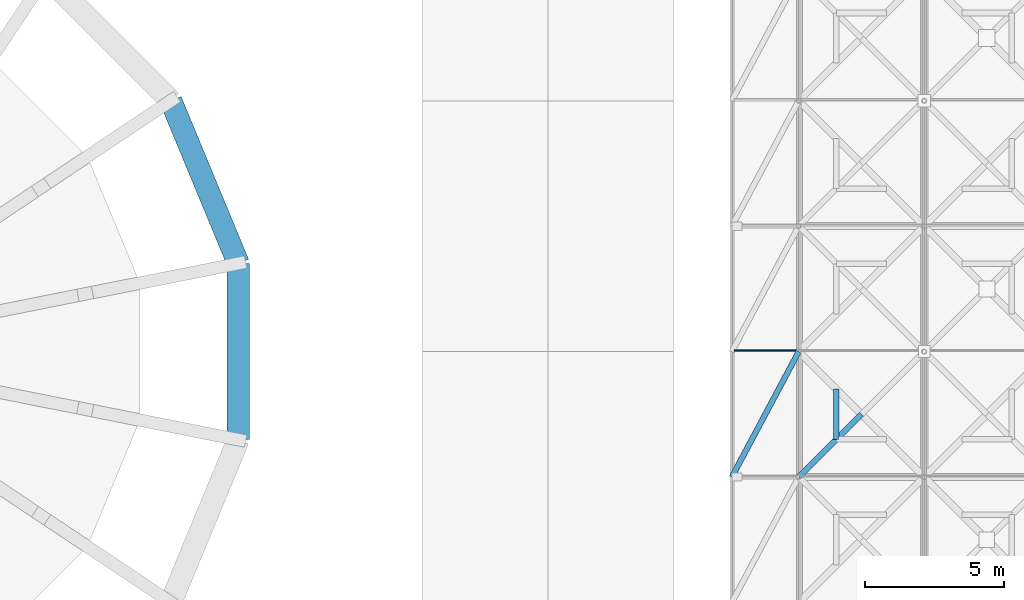
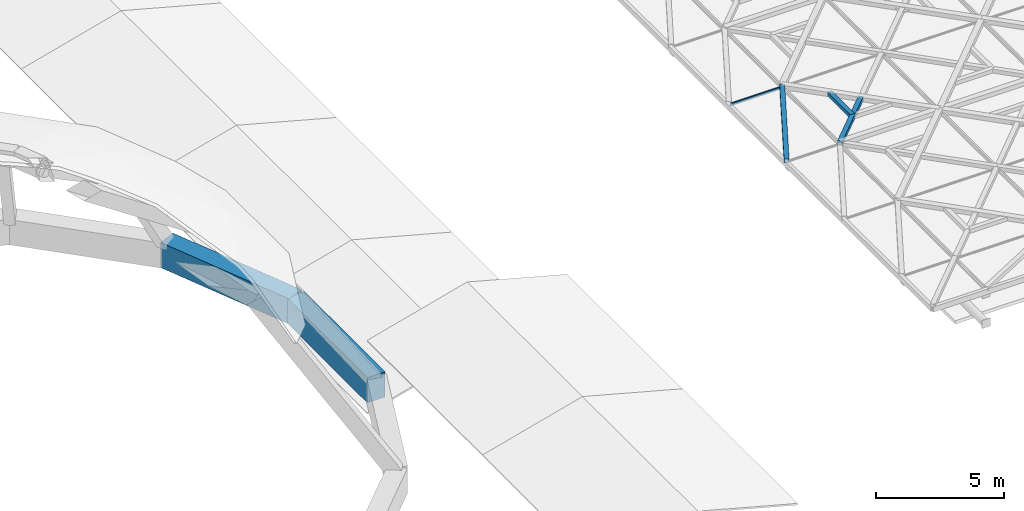
# One storey, part 3 of 80: 4 members, 2 beams, 1 element without a shape of its own.
"""IFC4 building model written with IfcOpenShell, lengths in metres."""

from ifc_helpers import new_model, si_unit, direction, frame, origin, origin_2d, place, context, subcontext, project, spatial, rectangle, hollow_rectangle, extrude, material, material_profile, profile_set, type_object, element, aggregate, save


model = new_model("IFC4")

# Units and contexts
model_context = context("Model", 3, precision=1e-05, world=origin(), true_north=direction((0.0, 1.0)))
body_context = subcontext(model_context, "Body", "Model", "MODEL_VIEW")
ifc_project = project(units=[si_unit("LENGTHUNIT", "METRE"), si_unit("AREAUNIT", "SQUARE_METRE"), si_unit("VOLUMEUNIT", "CUBIC_METRE"), si_unit("PLANEANGLEUNIT", "RADIAN"), si_unit("MASSUNIT", "GRAM", prefix="KILO"), si_unit("THERMODYNAMICTEMPERATUREUNIT", "KELVIN"), si_unit("POWERUNIT", "WATT")], contexts=[model_context])

# Site, building, storey
site_placement = place(None, origin())
site = spatial("IfcSite", under=ifc_project, at=site_placement, CompositionType="ELEMENT")
building_placement = place(site_placement, origin())
building = spatial("IfcBuilding", under=site, at=building_placement, Name="Tallowbark Science Centre", CompositionType="ELEMENT")
storey_placement = place(building_placement, frame((0.0, 0.0, 25.949951171875)))
storey = spatial("IfcBuildingStorey", under=building, at=storey_placement, Name="ROOF", CompositionType="ELEMENT", Elevation=25.949951171875)

# Beams
ifc_material_1 = material(Name="Concrete Grade N50 (50 MPa)", Category="concrete")
ifc_material_profile_1 = material_profile(ifc_material_1, rectangle(XDim=0.800048828125, YDim=1.199951171875, at=origin_2d()), Name="RC800x1200")
ifc_profile_set_1 = profile_set([ifc_material_profile_1], Name="Concrete Grade N50 (50 MPa)")
beam_type = type_object("IfcBeamType", Name="BM-RING-N50", PredefinedType="SPANDREL", material=ifc_profile_set_1)
beam_1_placement = place(storey_placement, frame((38.388671875, 21.160400390625, -4.949951171875), z_axis=(-0.382683814393, 0.92387937427, 0.0), x_axis=(-0.92387937427, -0.382683814393, 0.0)))
element("IfcBeam", 1, at=beam_1_placement, inside=storey, type_object=beam_type, Name="Planetarium Ring Beam ROOF-1", PredefinedType="SPANDREL", context=body_context, shape_type="SweptSolid", body=[
    extrude(rectangle(XDim=0.800048828125, YDim=1.199951171875, at=origin_2d()), origin(), (0.0, 0.0, 1.0), 6.321044921875),
])
beam_2_placement = place(storey_placement, frame((38.388671875, 14.839599609375, -4.949951171875), z_axis=(0.0, 1.0, 0.0), x_axis=(-1.0, 0.0, 0.0)))
element("IfcBeam", 2, at=beam_2_placement, inside=storey, type_object=beam_type, Name="Planetarium Ring Beam ROOF-16", PredefinedType="SPANDREL", context=body_context, shape_type="SweptSolid", body=[
    extrude(rectangle(XDim=0.800048828125, YDim=1.199951171875, at=origin_2d()), origin(), (0.0, 0.0, 1.0), 6.32080078125),
])

# Curtain wall, member
ifc_material_2 = material(Name="Blue-Tinted Laminated Low-E Skylight Glass", Category="glass")
curtain_wall_type = type_object("IfcCurtainWallType", Name="CW-SKY-ROOF", PredefinedType="NOTDEFINED", material=ifc_material_2)
curtain_wall_placement = place(storey_placement, origin())
curtain_wall = element("IfcCurtainWall", 3, at=curtain_wall_placement, inside=storey, type_object=curtain_wall_type, Name="Exhibition Star-Screen Skylight Bay 1", PredefinedType="NOTDEFINED")
ifc_material_3 = material(Name="Anodised Architectural Aluminium Alloy 6063-T6", Category="aluminium")
ifc_material_profile_2 = material_profile(ifc_material_3, rectangle(XDim=0.054931640625, YDim=0.1201171875, at=origin_2d()), Name="ALU55x120")
ifc_profile_set_2 = profile_set([ifc_material_profile_2], Name="Anodised Architectural Aluminium Alloy 6063-T6")
member_type_1 = type_object("IfcMemberType", Name="CWM-SKY-TRN", PredefinedType="USERDEFINED", material=ifc_profile_set_2)
member_1_placement = place(storey_placement, frame((56.179931640625, 18.0400390625, 0.35205078125), z_axis=(1.0, 0.0, 0.0), x_axis=(0.0, 1.0, 0.0)))
member_1 = element("IfcMember", 4, at=member_1_placement, type_object=member_type_1, Name="Skylight Bay 1 Transom 5", ObjectType="TRANSOM", PredefinedType="USERDEFINED", context=body_context, shape_type="SweptSolid", body=[
    extrude(rectangle(XDim=0.054931640625, YDim=0.1201171875, at=origin_2d()), origin(), (0.0, 0.0, 1.0), 2.239990234375),
])
aggregate(curtain_wall, [member_1])

# Members
ifc_material_4 = material(Name="White Architectural Painted Steel Grade C350L0 (350 MPa)", Category="steel")
ifc_material_profile_3 = material_profile(ifc_material_4, hollow_rectangle(XDim=0.199951171875, YDim=0.199951171875, WallThickness=0.009033203125, at=origin_2d()), Name="200x200x9.0SHS")
ifc_profile_set_3 = profile_set([ifc_material_profile_3], Name="White Architectural Painted Steel Grade C350L0 (350 MPa)")
member_type_2 = type_object("IfcMemberType", Name="SCR-STAR139", PredefinedType="BRACE", material=ifc_profile_set_3)
member_2_placement = place(storey_placement, frame((58.5, 13.5, 0.449951171875), z_axis=(0.707106781187, 0.707106781187, 0.0), x_axis=(-0.707106781187, 0.707106781187, 0.0)))
element("IfcMember", 5, at=member_2_placement, inside=storey, type_object=member_type_2, Name="Star Screen Continuous X-Diagonal D1A TOP-55", PredefinedType="BRACE", context=body_context, shape_type="SweptSolid", body=[
    extrude(hollow_rectangle(XDim=0.199951171875, YDim=0.199951171875, WallThickness=0.009033203125, at=origin_2d()), origin(), (0.0, 0.0, 1.0), 3.181884765625),
])
member_3_placement = place(storey_placement, frame((56.10009765625, 13.5, 0.449951171875), z_axis=(0.470573327259, 0.882360891967, 0.0), x_axis=(-0.882360891967, 0.470573327259, 0.0)))
element("IfcMember", 6, at=member_3_placement, inside=storey, type_object=member_type_2, Name="Top Perimeter Gap Star Diagonal 1-4", PredefinedType="BRACE", context=body_context, shape_type="SweptSolid", body=[
    extrude(hollow_rectangle(XDim=0.199951171875, YDim=0.199951171875, WallThickness=0.009033203125, at=origin_2d()), origin(), (0.0, 0.0, 1.0), 5.099853515625),
])
ifc_material_profile_4 = material_profile(ifc_material_4, hollow_rectangle(XDim=0.199951171875, YDim=0.199951171875, WallThickness=0.009033203125, at=origin_2d()), Name="200x200x9.0SHS")
ifc_profile_set_4 = profile_set([ifc_material_profile_4], Name="White Architectural Painted Steel Grade C350L0 (350 MPa)")
member_type_3 = type_object("IfcMemberType", Name="SCR-SUB150", PredefinedType="BRACE", material=ifc_profile_set_4)
member_4_placement = place(storey_placement, frame((59.85009765625, 14.85009765625, 0.449951171875), z_axis=(0.0, 1.0, 0.0), x_axis=(-1.0, 0.0, 0.0)))
element("IfcMember", 7, at=member_4_placement, inside=storey, type_object=member_type_3, Name="Star Screen Octagram Point Ray TOP-55-2", PredefinedType="BRACE", context=body_context, shape_type="SweptSolid", body=[
    extrude(hollow_rectangle(XDim=0.199951171875, YDim=0.199951171875, WallThickness=0.009033203125, at=origin_2d()), origin(), (0.0, 0.0, 1.0), 1.7998046875),
])

save(model, "model.ifc")
